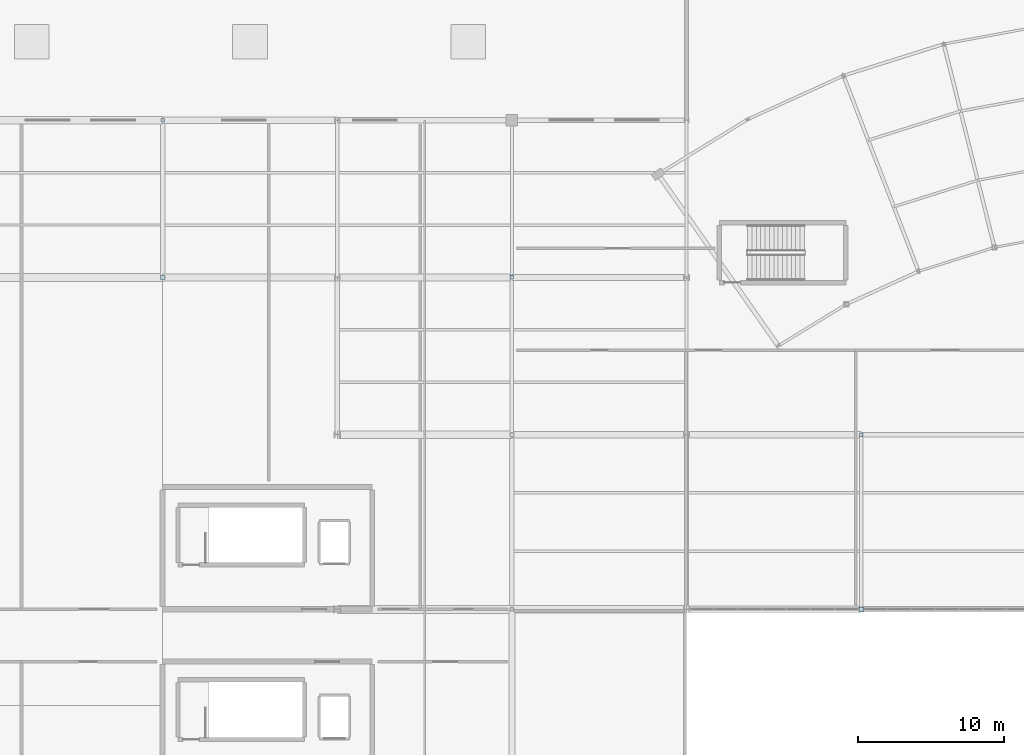
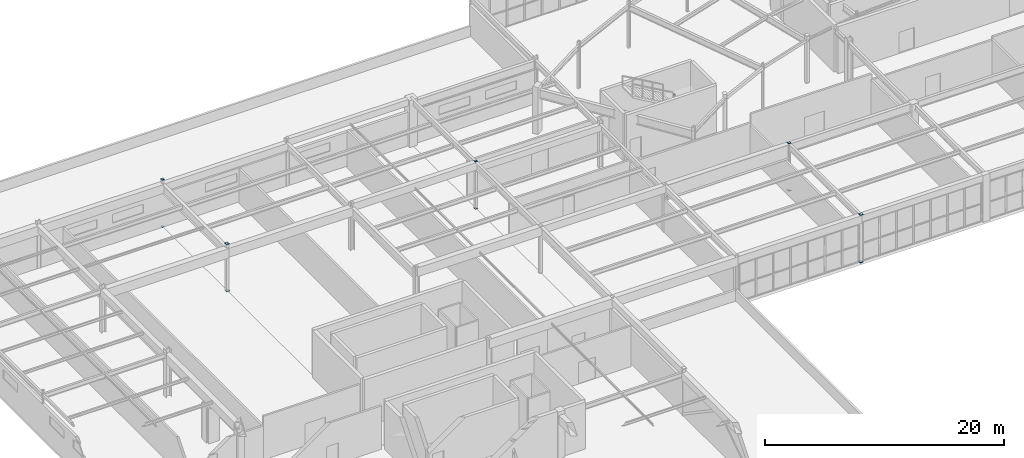
# One storey, part 139 of 186: 10 plates.
"""IFC4 building model written with IfcOpenShell, lengths in metres."""

from ifc_helpers import new_model, si_unit, direction, frame, origin, origin_2d, place, context, subcontext, project, spatial, rectangle, extrude, material, layer, layer_set, type_object, element, save


model = new_model("IFC4")

# Units and contexts
model_context = context("Model", 3, precision=1e-05, world=origin(), true_north=direction((0.0, 1.0)))
body_context = subcontext(model_context, "Body", "Model", "MODEL_VIEW")
ifc_project = project(units=[si_unit("LENGTHUNIT", "METRE"), si_unit("AREAUNIT", "SQUARE_METRE"), si_unit("VOLUMEUNIT", "CUBIC_METRE"), si_unit("PLANEANGLEUNIT", "RADIAN"), si_unit("MASSUNIT", "GRAM", prefix="KILO")], contexts=[model_context])

# Site, building, storey
site_placement = place(None, origin())
site = spatial("IfcSite", under=ifc_project, at=site_placement, CompositionType="ELEMENT")
building_placement = place(site_placement, origin())
building = spatial("IfcBuilding", under=site, at=building_placement, Name="Tarnwether General Hospital", CompositionType="ELEMENT")
storey_placement = place(building_placement, frame((0.0, 0.0, 9.60009765625)))
storey = spatial("IfcBuildingStorey", under=building, at=storey_placement, Name="L02", CompositionType="ELEMENT", Elevation=9.60009765625)

# Plates
ifc_material = material(Name="Steel Grade 350 (350 MPa)", Category="steel")
ifc_layer = layer(ifc_material, 0.02490234375)
ifc_layer_set = layer_set([ifc_layer], Name="Steel Grade 350 (350 MPa)")
plate_type = type_object("IfcPlateType", Name="PT-GUS2", PredefinedType="USERDEFINED", material=ifc_layer_set)
for number, where, z_axis, x_axis, name in (
    (1, (24.0, 104.39990234375, -0.025146484375), (0.0, 0.0, 1.0), (1.0, 0.0, 0.0), "Hollow Section Welded End Cap Plate 0063"),
    (2, (24.0, 104.39990234375, 4.800048828125), (0.0, 0.0, 1.0), (1.0, 0.0, 0.0), "Hollow Section Welded End Cap Plate 0064"),
):
    element("IfcPlate", number, at=place(storey_placement, frame(where, z_axis=z_axis, x_axis=x_axis)), inside=storey, type_object=plate_type, Name=name, ObjectType="GUSSET", PredefinedType="USERDEFINED", context=body_context, shape_type="SweptSolid", body=[
        extrude(rectangle(XDim=0.2900390625, YDim=0.2900390625, at=origin_2d()), origin(), (0.0, 0.0, 1.0), 0.02490234375),
    ])
for number, where, z_axis, x_axis, name in (
    (3, (24.0, 115.199951171875, -0.025146484375), (0.0, 0.0, 1.0), (1.0, 0.0, 0.0), "Hollow Section Welded End Cap Plate 0071"),
    (4, (24.0, 115.199951171875, 4.800048828125), (0.0, 0.0, 1.0), (1.0, 0.0, 0.0), "Hollow Section Welded End Cap Plate 0072"),
    (5, (48.0, 104.39990234375, -0.025146484375), (0.0, 0.0, 1.0), (1.0, 0.0, 0.0), "Hollow Section Welded End Cap Plate 0111"),
    (6, (48.0, 104.39990234375, 4.800048828125), (0.0, 0.0, 1.0), (1.0, 0.0, 0.0), "Hollow Section Welded End Cap Plate 0112"),
):
    element("IfcPlate", number, at=place(storey_placement, frame(where, z_axis=z_axis, x_axis=x_axis)), inside=storey, type_object=plate_type, Name=name, ObjectType="GUSSET", PredefinedType="USERDEFINED", context=body_context, shape_type="SweptSolid", body=[
        extrude(rectangle(XDim=0.239990234375, YDim=0.239990234375, at=origin_2d()), origin(), (0.0, 0.0, 1.0), 0.02490234375),
    ])
for number, where, z_axis, x_axis, name in (
    (7, (72.0, 81.60009765625, -0.025146484375), (0.0, 0.0, 1.0), (1.0, 0.0, 0.0), "Hollow Section Welded End Cap Plate 0131"),
    (8, (72.0, 81.60009765625, 4.800048828125), (0.0, 0.0, 1.0), (1.0, 0.0, 0.0), "Hollow Section Welded End Cap Plate 0132"),
):
    element("IfcPlate", number, at=place(storey_placement, frame(where, z_axis=z_axis, x_axis=x_axis)), inside=storey, type_object=plate_type, Name=name, ObjectType="GUSSET", PredefinedType="USERDEFINED", context=body_context, shape_type="SweptSolid", body=[
        extrude(rectangle(XDim=0.31298828125, YDim=0.31298828125, at=origin_2d()), origin(), (0.0, 0.0, 1.0), 0.02490234375),
    ])
for number, where, z_axis, x_axis, name in (
    (9, (72.0, 93.60009765625, -0.025146484375), (0.0, 0.0, 1.0), (1.0, 0.0, 0.0), "Hollow Section Welded End Cap Plate 0139"),
    (10, (72.0, 93.60009765625, 4.800048828125), (0.0, 0.0, 1.0), (1.0, 0.0, 0.0), "Hollow Section Welded End Cap Plate 0140"),
):
    element("IfcPlate", number, at=place(storey_placement, frame(where, z_axis=z_axis, x_axis=x_axis)), inside=storey, type_object=plate_type, Name=name, ObjectType="GUSSET", PredefinedType="USERDEFINED", context=body_context, shape_type="SweptSolid", body=[
        extrude(rectangle(XDim=0.259033203125, YDim=0.259033203125, at=origin_2d()), origin(), (0.0, 0.0, 1.0), 0.02490234375),
    ])

save(model, "model.ifc")
